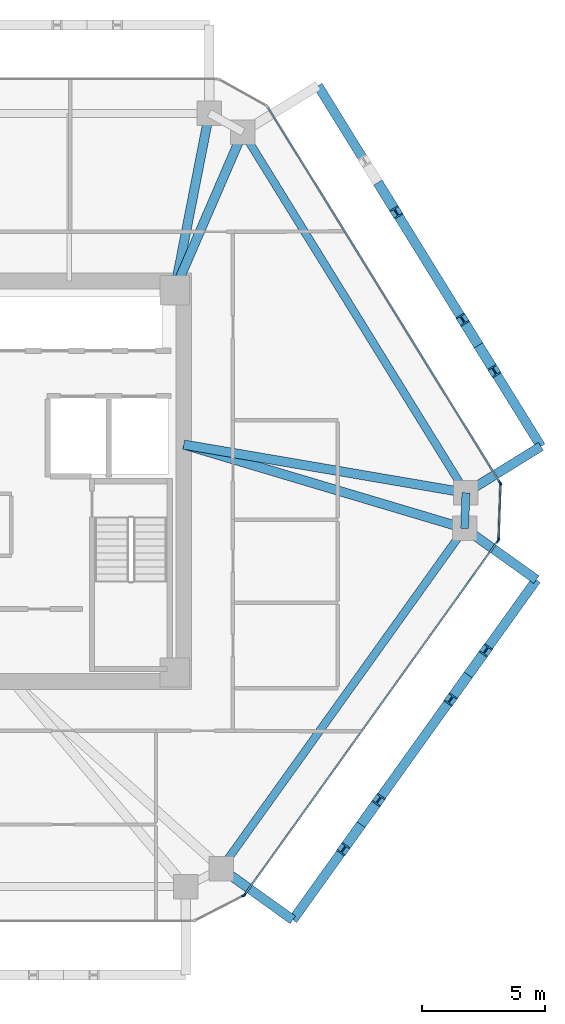
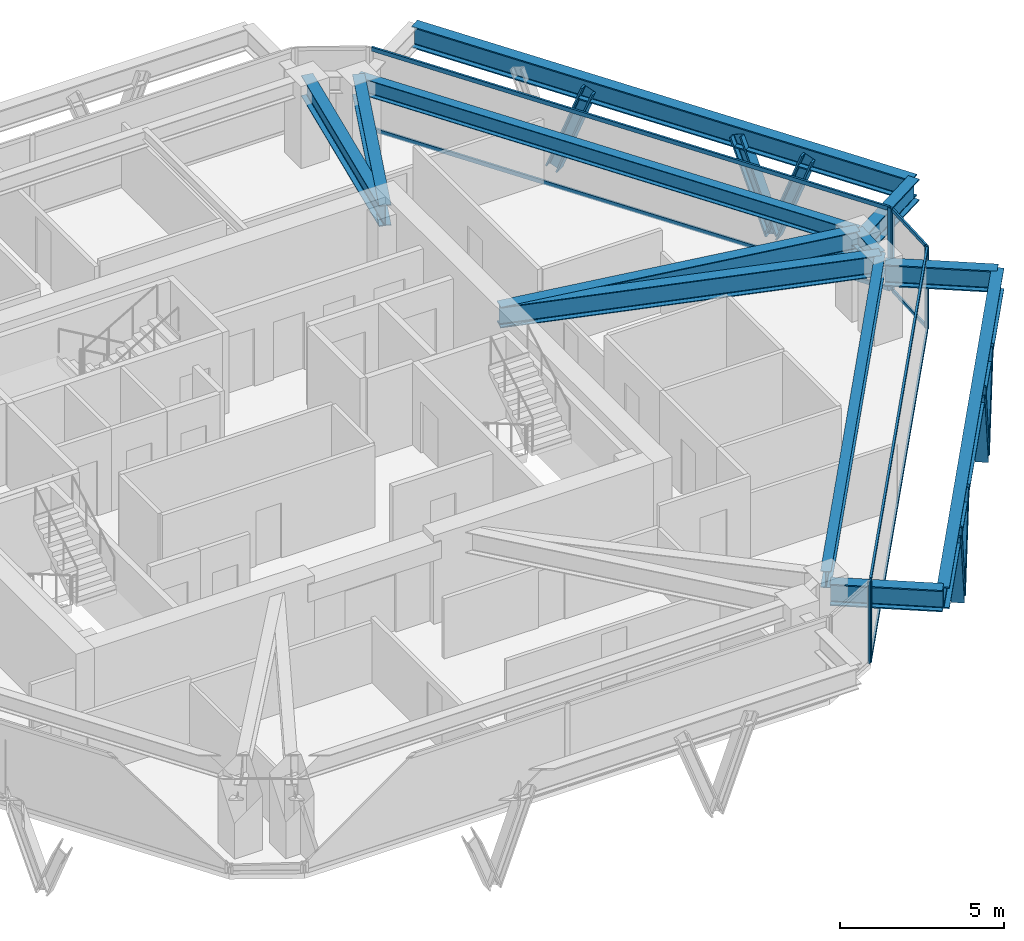
# One storey, part 5 of 11: 19 members, 12 beams, 4 elements without a shape of their own.
"""IFC4 building model written with IfcOpenShell, lengths in metres."""

import ifcopenshell
import ifcopenshell.guid

model = None  # the IFC model being written
_history = None  # IfcOwnerHistory: only IFC2X3 demands one
_inside = {}  # id of a spatial element -> (the spatial element, [elements in it])
_under = {}  # id of a project, library or spatial element -> (it, [spatial elements below it])
_declared = {}  # id of a project -> (the project, [libraries it declares])
_typed = {}  # id of a type object -> (the type object, [elements of that type])
_made_of = {}  # id of a material, layer set ... -> (it, [elements and type objects made of it])


def new_model(schema):
    """Start an empty IFC model of exactly this schema.

    Asked for "IFC4X3", IfcOpenShell would pick the latest addendum, in which some entities
    have other attributes; the version numbers below select the first issue.
    IFC2X3 requires an IfcOwnerHistory on every rooted entity: one is made here for all.
    """
    global model, _history
    if schema == "IFC4X3":
        model = ifcopenshell.file(schema_version=(4, 3, 0, 0))
    else:
        model = ifcopenshell.file(schema=schema)
    _inside.clear()
    _under.clear()
    _declared.clear()
    _typed.clear()
    _made_of.clear()
    _history = None
    if model.schema == "IFC2X3":
        org = make("IfcOrganization", Name="unknown")
        user = make(
            "IfcPersonAndOrganization",
            ThePerson=make("IfcPerson", FamilyName="unknown"),
            TheOrganization=org,
        )
        app = make(
            "IfcApplication",
            ApplicationDeveloper=org,
            Version="unknown",
            ApplicationFullName="unknown",
            ApplicationIdentifier="unknown",
        )
        _history = make(
            "IfcOwnerHistory",
            OwningUser=user,
            OwningApplication=app,
            ChangeAction="ADDED",
            CreationDate=0,
        )
    return model


def make(cls, **values):
    """One entity of the class cls with the attributes given. An attribute that is None is left unset."""
    return model.create_entity(
        cls, **{name: value for name, value in values.items() if value is not None}
    )


def rooted(cls, **values):
    """An entity with a GlobalId (a new one), such as an element, a storey or a relation."""
    return make(cls, GlobalId=ifcopenshell.guid.new(), OwnerHistory=_history, **values)


def si_unit(unit_type, name, prefix=None):
    """IfcSIUnit, for example si_unit("LENGTHUNIT", "METRE", prefix="MILLI")."""
    return make("IfcSIUnit", UnitType=unit_type, Prefix=prefix, Name=name)


def assignment(units):
    """IfcUnitAssignment: the units of a project."""
    return None if units is None else make("IfcUnitAssignment", Units=units)


def point(xyz):
    """IfcCartesianPoint."""
    return None if xyz is None else make("IfcCartesianPoint", Coordinates=xyz)


def direction(xyz):
    """IfcDirection."""
    return None if xyz is None else make("IfcDirection", DirectionRatios=xyz)


def frame(location, z_axis=None, x_axis=None):
    """IfcAxis2Placement3D, a coordinate frame: its origin and axes. An axis left out is left unset."""
    return make(
        "IfcAxis2Placement3D",
        Location=point(location),
        Axis=direction(z_axis),
        RefDirection=direction(x_axis),
    )


def frame_2d(location, x_axis=None):
    """IfcAxis2Placement2D, a coordinate frame in the plane: its origin and x axis."""
    return make(
        "IfcAxis2Placement2D", Location=point(location), RefDirection=direction(x_axis)
    )


def origin():
    """The frame at (0, 0, 0) with its axes left unset."""
    return frame((0.0, 0.0, 0.0))


def origin_2d():
    """The frame at (0, 0) in the plane with its x axis left unset."""
    return frame_2d((0.0, 0.0))


def place(relative_to, where):
    """IfcLocalPlacement: puts the frame where relative to a parent placement (None: the world)."""
    return make(
        "IfcLocalPlacement", PlacementRelTo=relative_to, RelativePlacement=where
    )


def context(
    kind, dimensions, precision=None, world=None, true_north=None, identifier=None
):
    """IfcGeometricRepresentationContext, for example the 3D "Model" context."""
    return make(
        "IfcGeometricRepresentationContext",
        ContextIdentifier=identifier,
        ContextType=kind,
        CoordinateSpaceDimension=dimensions,
        Precision=precision,
        WorldCoordinateSystem=world,
        TrueNorth=true_north,
    )


def subcontext(parent, identifier, kind, view, scale=None):
    """IfcGeometricRepresentationSubContext, for example "Body" below "Model"."""
    return make(
        "IfcGeometricRepresentationSubContext",
        ContextIdentifier=identifier,
        ContextType=kind,
        ParentContext=parent,
        TargetScale=scale,
        TargetView=view,
    )


def project(units=None, contexts=None):
    """IfcProject with its units and contexts."""
    return rooted(
        "IfcProject",
        Name="project",
        RepresentationContexts=contexts,
        UnitsInContext=assignment(units),
    )


def spatial(cls, under=None, at=None, **own):
    """A site, building, storey or space (cls), placed at a placement, below another one or the project."""
    s = rooted(cls, ObjectPlacement=at, **own)
    if under is not None:
        _under.setdefault(under.id(), (under, []))[1].append(s)
    return s


def profile(cls, at=None, kind="AREA", **sizes):
    """A parametric profile (cls). Its sizes go by their IFC names, for example OverallWidth=200.0."""
    return make(cls, ProfileType=kind, Position=at, **sizes)


def rectangle(**sizes):
    """IfcRectangleProfileDef."""
    return profile("IfcRectangleProfileDef", **sizes)


def i_section(**sizes):
    """IfcIShapeProfileDef."""
    return profile("IfcIShapeProfileDef", **sizes)


def extrude(swept, where, along, depth):
    """IfcExtrudedAreaSolid: the profile swept, set in the frame where, extruded along a direction by depth."""
    return make(
        "IfcExtrudedAreaSolid",
        SweptArea=swept,
        Position=where,
        ExtrudedDirection=direction(along),
        Depth=depth,
    )


def shape(context_of_items, identifier, shape_type, items):
    """IfcShapeRepresentation: the items that make up one representation, for example the "Body"."""
    return make(
        "IfcShapeRepresentation",
        ContextOfItems=context_of_items,
        RepresentationIdentifier=identifier,
        RepresentationType=shape_type,
        Items=items,
    )


def source(mapping_origin, context_of_items, identifier, shape_type, items):
    """IfcRepresentationMap: a shape defined once, which mapped items show again and again."""
    return make(
        "IfcRepresentationMap",
        MappingOrigin=mapping_origin,
        MappedRepresentation=shape(context_of_items, identifier, shape_type, items),
    )


def transform(
    local_origin,
    x_axis=None,
    y_axis=None,
    z_axis=None,
    scale=None,
    scale2=None,
    scale3=None,
    uniform=True,
):
    """IfcCartesianTransformationOperator3D, or its non-uniform kind. x_axis, y_axis, z_axis: its Axis1, 2, 3."""
    if uniform:
        return make(
            "IfcCartesianTransformationOperator3D",
            Axis1=direction(x_axis),
            Axis2=direction(y_axis),
            LocalOrigin=point(local_origin),
            Scale=scale,
            Axis3=direction(z_axis),
        )
    return make(
        "IfcCartesianTransformationOperator3DnonUniform",
        Axis1=direction(x_axis),
        Axis2=direction(y_axis),
        LocalOrigin=point(local_origin),
        Scale=scale,
        Axis3=direction(z_axis),
        Scale2=scale2,
        Scale3=scale3,
    )


def mapped(mapping_source, mapping_target):
    """IfcMappedItem: shows the shape of a source again, moved by a transform."""
    return make(
        "IfcMappedItem", MappingSource=mapping_source, MappingTarget=mapping_target
    )


def material(Name=None, Category=None):
    """IfcMaterial."""
    return make("IfcMaterial", Name=Name, Category=Category)


def layer(
    of_material, thickness, ventilated=None, Name=None, Category=None, Priority=None
):
    """IfcMaterialLayer: one layer of a wall or slab, of a material (None: an air gap)."""
    return make(
        "IfcMaterialLayer",
        Material=of_material,
        LayerThickness=thickness,
        IsVentilated=ventilated,
        Name=Name,
        Category=Category,
        Priority=Priority,
    )


def layer_set(layers, Name=None):
    """IfcMaterialLayerSet."""
    return make("IfcMaterialLayerSet", MaterialLayers=layers, LayerSetName=Name)


def material_profile(
    of_material, cross_section, Name=None, Category=None, Priority=None
):
    """IfcMaterialProfile: a cross section and its material."""
    return make(
        "IfcMaterialProfile",
        Name=Name,
        Material=of_material,
        Profile=cross_section,
        Priority=Priority,
        Category=Category,
    )


def profile_set(profiles, Name=None, composite=None):
    """IfcMaterialProfileSet."""
    return make(
        "IfcMaterialProfileSet",
        Name=Name,
        MaterialProfiles=profiles,
        CompositeProfile=composite,
    )


def made_of(thing, what):
    """Note that an element or type object is made of a material, layer set ...; save() writes the relation."""
    if what is not None:
        _made_of.setdefault(what.id(), (what, []))[1].append(thing)
    return thing


def type_object(cls, material=None, **own):
    """A type object (cls), such as IfcWallType, which elements share."""
    return made_of(rooted(cls, **own), material)


def type_shapes(of_type, sources):
    """Give a type object the sources (RepresentationMaps) that its elements show as mapped items."""
    of_type.RepresentationMaps = sources


def element(
    cls,
    number,
    at=None,
    inside=None,
    cuts=None,
    type_object=None,
    material=None,
    context=None,
    identifier="Body",
    shape_type=None,
    held_by="IfcProductDefinitionShape",
    body=None,
    shapes=None,
    **own,
):
    """One element of the class cls, such as IfcWall. Its Tag is "e" and its number.

    at: its placement. inside: the storey or other place that contains it. cuts: it is an
    opening in that element (IfcRelVoidsElement). A single representation is given by context,
    identifier, shape_type and body (its items); several are given by shapes. held_by: the class
    of the entity that holds the representations. save() writes the other relations.
    """
    e = rooted(cls, Tag="e%d" % number, ObjectPlacement=at, **own)
    if body is not None:
        shapes = [shape(context, identifier, shape_type, body)]
    if shapes is not None:
        e.Representation = make(held_by, Representations=shapes)
    if inside is not None:
        _inside.setdefault(inside.id(), (inside, []))[1].append(e)
    if cuts is not None:
        rooted(
            "IfcRelVoidsElement", RelatingBuildingElement=cuts, RelatedOpeningElement=e
        )
    if type_object is not None:
        _typed.setdefault(type_object.id(), (type_object, []))[1].append(e)
    return made_of(e, material)


def aggregate(whole, parts):
    """IfcRelAggregates: a whole, such as a stair, and the parts it consists of."""
    return rooted("IfcRelAggregates", RelatingObject=whole, RelatedObjects=parts)


def save(model, path):
    """Write the relations noted so far, then the file.

    IfcRelAggregates (storeys below a building ...), IfcRelContainedInSpatialStructure (elements
    in a storey), IfcRelDefinesByType, IfcRelAssociatesMaterial and IfcRelDeclares: one each for
    every whole, place, type object, material and project.
    """
    for whole, parts in _under.values():
        aggregate(whole, parts)
    for where, things in _inside.values():
        rooted(
            "IfcRelContainedInSpatialStructure",
            RelatedElements=things,
            RelatingStructure=where,
        )
    for kind, things in _typed.values():
        rooted("IfcRelDefinesByType", RelatedObjects=things, RelatingType=kind)
    for what, things in _made_of.values():
        rooted("IfcRelAssociatesMaterial", RelatedObjects=things, RelatingMaterial=what)
    for by, libraries in _declared.values():
        rooted("IfcRelDeclares", RelatingContext=by, RelatedDefinitions=libraries)
    model.write(path)


model = new_model("IFC4")

# Units and contexts
model_context = context("Model", 3, precision=1e-05, world=origin(), true_north=direction((0.0, 1.0)))
body_context = subcontext(model_context, "Body", "Model", "MODEL_VIEW")
ifc_project = project(units=[si_unit("LENGTHUNIT", "METRE"), si_unit("AREAUNIT", "SQUARE_METRE"), si_unit("VOLUMEUNIT", "CUBIC_METRE"), si_unit("PLANEANGLEUNIT", "RADIAN"), si_unit("MASSUNIT", "GRAM", prefix="KILO")], contexts=[model_context])

# Site, building, storey
site_placement = place(None, origin())
site = spatial("IfcSite", under=ifc_project, at=site_placement, CompositionType="ELEMENT")
building_placement = place(site_placement, origin())
building = spatial("IfcBuilding", under=site, at=building_placement, Name="Durnholm Broadcast Tower", CompositionType="ELEMENT")
storey_placement = place(building_placement, frame((0.0, 0.0, 190.300048828125)))
storey = spatial("IfcBuildingStorey", under=building, at=storey_placement, Name="L52", CompositionType="ELEMENT", Elevation=190.300048828125)

# Beams
ifc_material_1 = material(Name="Steel ASTM A992 Grade 50", Category="steel")
ifc_material_profile_1 = material_profile(ifc_material_1, i_section(OverallWidth=0.385009765625, OverallDepth=0.802978515625, WebThickness=0.023681640625, FlangeThickness=0.0419921875, FilletRadius=0.032958984375, at=origin_2d()), Name="W30X261")
ifc_profile_set_1 = profile_set([ifc_material_profile_1], Name="Steel ASTM A992 Grade 50")
beam_type_1 = type_object("IfcBeamType", Name="BM-EXO-TIE", PredefinedType="USERDEFINED", material=ifc_profile_set_1)
shared_shape_1 = source(origin(), body_context, "Body", "SweptSolid", [
    extrude(i_section(OverallWidth=0.385009765625, OverallDepth=0.802978515625, WebThickness=0.023681640625, FlangeThickness=0.0419921875, FilletRadius=0.032958984375, at=origin_2d()), origin(), (0.0, 0.0, 1.0), 3.4560546875),
])
for number, where, z_axis, x_axis, name in (
    (1, (11.81689453125, -15.884033203125, 2.30859375), (0.813079048773, -0.582153296346, 0.0), (0.582153296346, 0.813079048773, 0.0), "L52 exoskeleton stand-off tie bracket F2.1"),
    (2, (21.7548828125, -2.00341796875, 2.30859375), (0.813079048773, -0.582153296346, 0.0), (0.582153296346, 0.813079048773, 0.0), "L52 exoskeleton stand-off tie bracket F2.2"),
    (3, (21.8095703125, -0.3916015625, 2.30859375), (0.850662348375, 0.525712439512, 0.0), (-0.525712439512, 0.850662348375, 0.0), "L52 exoskeleton stand-off tie bracket F3.1"),
):
    element("IfcBeam", number, at=place(storey_placement, frame(where, z_axis=z_axis, x_axis=x_axis)), inside=storey, type_object=beam_type_1, Name=name, ObjectType="GIRDER", PredefinedType="USERDEFINED", context=body_context, shape_type="MappedRepresentation", body=[
        mapped(shared_shape_1, transform((0.0, 0.0, 0.0), x_axis=(1.0, 0.0, 0.0), y_axis=(0.0, 1.0, 0.0), z_axis=(0.0, 0.0, 1.0), scale=1.0)),
    ])
ifc_material_profile_2 = material_profile(ifc_material_1, i_section(OverallWidth=0.3251953125, OverallDepth=0.6162109375, WebThickness=0.013916015625, FlangeThickness=0.021484375, FilletRadius=0.02783203125, at=origin_2d()), Name="W24X117")
ifc_profile_set_2 = profile_set([ifc_material_profile_2], Name="Steel ASTM A992 Grade 50")
beam_type_2 = type_object("IfcBeamType", Name="STL-SP-W24X117", PredefinedType="SPANDREL", material=ifc_profile_set_2)
shared_shape_2 = source(origin(), body_context, "Body", "SweptSolid", [
    extrude(i_section(OverallWidth=0.3251953125, OverallDepth=0.6162109375, WebThickness=0.013916015625, FlangeThickness=0.021484375, FilletRadius=0.02783203125, at=origin_2d()), origin(), (0.0, 0.0, 1.0), 17.30322265625),
])
beam_1_placement = place(storey_placement, frame((12.5908203125, 14.252197265625, 2.73681640625), z_axis=(0.525691424148, -0.850675335588, 0.0), x_axis=(0.850675335588, 0.525691424148, 0.0)))
element("IfcBeam", 4, at=beam_1_placement, inside=storey, type_object=beam_type_2, Name="L52 perimeter spandrel girder 07", PredefinedType="SPANDREL", context=body_context, shape_type="MappedRepresentation", body=[
    mapped(shared_shape_2, transform((0.0, 0.0, 0.0), x_axis=(1.0, 0.0, 0.0), y_axis=(0.0, 1.0, 0.0), z_axis=(0.0, 0.0, 1.0), scale=1.0)),
])
shared_shape_3 = source(origin(), body_context, "Body", "SweptSolid", [
    extrude(i_section(OverallWidth=0.3251953125, OverallDepth=0.6162109375, WebThickness=0.013916015625, FlangeThickness=0.021484375, FilletRadius=0.02783203125, at=origin_2d()), origin(), (0.0, 0.0, 1.0), 1.453125),
])
beam_2_placement = place(storey_placement, frame((21.68701171875, -0.46728515625, 2.73681640625), z_axis=(-0.033767922326, -0.99942970109, 0.0), x_axis=(0.99942970109, -0.033767922326, 0.0)))
element("IfcBeam", 5, at=beam_2_placement, inside=storey, type_object=beam_type_2, Name="L52 perimeter spandrel girder 08", PredefinedType="SPANDREL", context=body_context, shape_type="MappedRepresentation", body=[
    mapped(shared_shape_3, transform((0.0, 0.0, 0.0), x_axis=(1.0, 0.0, 0.0), y_axis=(0.0, 1.0, 0.0), z_axis=(0.0, 0.0, 1.0), scale=1.0)),
])
shared_shape_4 = source(origin(), body_context, "Body", "SweptSolid", [
    extrude(i_section(OverallWidth=0.3251953125, OverallDepth=0.6162109375, WebThickness=0.013916015625, FlangeThickness=0.021484375, FilletRadius=0.02783203125, at=origin_2d()), origin(), (0.0, 0.0, 1.0), 17.071533203125),
])
type_shapes(beam_type_2, [shared_shape_2, shared_shape_3, shared_shape_4])
beam_3_placement = place(storey_placement, frame((21.637939453125, -1.919677734375, 2.73681640625), z_axis=(-0.582149612352, -0.813081686449, 0.0), x_axis=(0.813081686449, -0.582149612352, 0.0)))
element("IfcBeam", 6, at=beam_3_placement, inside=storey, type_object=beam_type_2, Name="L52 perimeter spandrel girder 09", PredefinedType="SPANDREL", context=body_context, shape_type="MappedRepresentation", body=[
    mapped(shared_shape_4, transform((0.0, 0.0, 0.0), x_axis=(1.0, 0.0, 0.0), y_axis=(0.0, 1.0, 0.0), z_axis=(0.0, 0.0, 1.0), scale=1.0)),
])
ifc_material_profile_3 = material_profile(ifc_material_1, i_section(OverallWidth=0.380615234375, OverallDepth=0.773193359375, WebThickness=0.0166015625, FlangeThickness=0.027099609375, FilletRadius=0.032958984375, at=origin_2d()), Name="W30X173")
ifc_profile_set_3 = profile_set([ifc_material_profile_3], Name="Steel ASTM A992 Grade 50")
beam_type_3 = type_object("IfcBeamType", Name="STL-GR-W30X173", PredefinedType="USERDEFINED", material=ifc_profile_set_3)
shared_shape_5 = source(origin(), body_context, "Body", "SweptSolid", [
    extrude(i_section(OverallWidth=0.380615234375, OverallDepth=0.773193359375, WebThickness=0.0166015625, FlangeThickness=0.027099609375, FilletRadius=0.032958984375, at=origin_2d()), origin(), (0.0, 0.0, 1.0), 7.35595703125),
])
beam_4_placement = place(storey_placement, frame((9.800048828125, 7.800048828125, 2.658447265625), z_axis=(0.192700221893, 0.981257674865, 0.0), x_axis=(-0.981257674865, 0.192700221893, 0.0)))
element("IfcBeam", 7, at=beam_4_placement, inside=storey, type_object=beam_type_3, Name="L52 radial primary floor girder 06", ObjectType="GIRDER", PredefinedType="USERDEFINED", context=body_context, shape_type="MappedRepresentation", body=[
    mapped(shared_shape_5, transform((0.0, 0.0, 0.0), x_axis=(1.0, 0.0, 0.0), y_axis=(0.0, 1.0, 0.0), z_axis=(0.0, 0.0, 1.0), scale=1.0)),
])
shared_shape_6 = source(origin(), body_context, "Body", "SweptSolid", [
    extrude(i_section(OverallWidth=0.380615234375, OverallDepth=0.773193359375, WebThickness=0.0166015625, FlangeThickness=0.027099609375, FilletRadius=0.032958984375, at=origin_2d()), origin(), (0.0, 0.0, 1.0), 7.02978515625),
])
beam_5_placement = place(storey_placement, frame((9.800048828125, 7.800048828125, 2.658447265625), z_axis=(0.396989434191, 0.91782317967, 0.0), x_axis=(-0.91782317967, 0.396989434191, 0.0)))
element("IfcBeam", 8, at=beam_5_placement, inside=storey, type_object=beam_type_3, Name="L52 radial primary floor girder 07", ObjectType="GIRDER", PredefinedType="USERDEFINED", context=body_context, shape_type="MappedRepresentation", body=[
    mapped(shared_shape_6, transform((0.0, 0.0, 0.0), x_axis=(1.0, 0.0, 0.0), y_axis=(0.0, 1.0, 0.0), z_axis=(0.0, 0.0, 1.0), scale=1.0)),
])
shared_shape_7 = source(origin(), body_context, "Body", "SweptSolid", [
    extrude(i_section(OverallWidth=0.385009765625, OverallDepth=0.802978515625, WebThickness=0.023681640625, FlangeThickness=0.0419921875, FilletRadius=0.032958984375, at=origin_2d()), origin(), (0.0, 0.0, 1.0), 17.071533203125),
])
beam_6_placement = place(storey_placement, frame((14.626953125, -17.89599609375, 2.30859375), z_axis=(0.582140157836, 0.813088455603, 0.0), x_axis=(-0.813088455603, 0.582140157836, 0.0)))
element("IfcBeam", 9, at=beam_6_placement, inside=storey, type_object=beam_type_1, Name="L52 exoskeleton collector spandrel F2", PredefinedType="SPANDREL", context=body_context, shape_type="MappedRepresentation", body=[
    mapped(shared_shape_7, transform((0.0, 0.0, 0.0), x_axis=(1.0, 0.0, 0.0), y_axis=(0.0, 1.0, 0.0), z_axis=(0.0, 0.0, 1.0), scale=1.0)),
])
shared_shape_8 = source(origin(), body_context, "Body", "SweptSolid", [
    extrude(i_section(OverallWidth=0.385009765625, OverallDepth=0.802978515625, WebThickness=0.023681640625, FlangeThickness=0.0419921875, FilletRadius=0.032958984375, at=origin_2d()), origin(), (0.0, 0.0, 1.0), 17.303466796875),
])
type_shapes(beam_type_1, [shared_shape_1, shared_shape_7, shared_shape_8])
beam_7_placement = place(storey_placement, frame((24.74951171875, 1.42529296875, 2.30859375), z_axis=(-0.525701634347, 0.850669025911, 0.0), x_axis=(-0.850669025911, -0.525701634347, 0.0)))
element("IfcBeam", 10, at=beam_7_placement, inside=storey, type_object=beam_type_1, Name="L52 exoskeleton collector spandrel F3", PredefinedType="SPANDREL", context=body_context, shape_type="MappedRepresentation", body=[
    mapped(shared_shape_8, transform((0.0, 0.0, 0.0), x_axis=(1.0, 0.0, 0.0), y_axis=(0.0, 1.0, 0.0), z_axis=(0.0, 0.0, 1.0), scale=1.0)),
])
shared_shape_9 = source(origin(), body_context, "Body", "SweptSolid", [
    extrude(i_section(OverallWidth=0.380615234375, OverallDepth=0.773193359375, WebThickness=0.0166015625, FlangeThickness=0.027099609375, FilletRadius=0.032958984375, at=origin_2d()), origin(), (0.0, 0.0, 1.0), 11.678955078125),
])
beam_8_placement = place(storey_placement, frame((10.175048828125, 1.5, 2.658447265625), z_axis=(0.985710446264, -0.168448556317, 0.0), x_axis=(0.168448556317, 0.985710446264, 0.0)))
element("IfcBeam", 11, at=beam_8_placement, inside=storey, type_object=beam_type_3, Name="L52 radial primary floor girder 08", ObjectType="GIRDER", PredefinedType="USERDEFINED", context=body_context, shape_type="MappedRepresentation", body=[
    mapped(shared_shape_9, transform((0.0, 0.0, 0.0), x_axis=(1.0, 0.0, 0.0), y_axis=(0.0, 1.0, 0.0), z_axis=(0.0, 0.0, 1.0), scale=1.0)),
])
shared_shape_10 = source(origin(), body_context, "Body", "SweptSolid", [
    extrude(i_section(OverallWidth=0.380615234375, OverallDepth=0.773193359375, WebThickness=0.0166015625, FlangeThickness=0.027099609375, FilletRadius=0.032958984375, at=origin_2d()), origin(), (0.0, 0.0, 1.0), 11.962158203125),
])
type_shapes(beam_type_3, [shared_shape_5, shared_shape_6, shared_shape_9, shared_shape_10])
beam_9_placement = place(storey_placement, frame((10.175048828125, 1.5, 2.658447265625), z_axis=(0.958266673737, -0.285875815706, 0.0), x_axis=(0.285875815706, 0.958266673737, 0.0)))
element("IfcBeam", 12, at=beam_9_placement, inside=storey, type_object=beam_type_3, Name="L52 radial primary floor girder 09", ObjectType="GIRDER", PredefinedType="USERDEFINED", context=body_context, shape_type="MappedRepresentation", body=[
    mapped(shared_shape_10, transform((0.0, 0.0, 0.0), x_axis=(1.0, 0.0, 0.0), y_axis=(0.0, 1.0, 0.0), z_axis=(0.0, 0.0, 1.0), scale=1.0)),
])

# Members
ifc_material_2 = material(Name="Steel ASTM A913 Grade 65", Category="steel")
ifc_material_profile_4 = material_profile(ifc_material_2, i_section(OverallWidth=0.412109375, OverallDepth=0.434814453125, WebThickness=0.035888671875, FlangeThickness=0.057373046875, FilletRadius=0.030517578125, at=origin_2d()), Name="W14X311")
ifc_profile_set_4 = profile_set([ifc_material_profile_4], Name="Steel ASTM A913 Grade 65")
member_type_1 = type_object("IfcMemberType", Name="STL-DG-W14X311", PredefinedType="BRACE", material=ifc_profile_set_4)
shared_shape_11 = source(origin(), body_context, "Body", "SweptSolid", [
    extrude(i_section(OverallWidth=0.412109375, OverallDepth=0.434814453125, WebThickness=0.035888671875, FlangeThickness=0.057373046875, FilletRadius=0.030517578125, at=origin_2d()), origin(), (0.0, 0.0, 1.0), 3.523193359375),
])
for number, where, z_axis, x_axis, name in (
    (13, (17.40966796875, -14.009521484375, -0.991455078125), (-0.203869234398, -0.284737826017, 0.936675880815), (0.813077820009, -0.582155012526, 0.0), "L52 stand-off diagrid brace F2.D1.1"),
    (14, (17.40966796875, -14.009521484375, -0.991455078125), (0.203869234398, 0.284737826017, 0.936675880815), (-0.813077820009, 0.582155012526, 0.0), "L52 stand-off diagrid brace F2.D1.2"),
    (15, (21.782470703125, -7.90185546875, -0.991455078125), (-0.203869234398, -0.284737826017, 0.936675880815), (0.813077820009, -0.582155012526, 0.0), "L52 stand-off diagrid brace F2.D2.1"),
    (16, (21.782470703125, -7.90185546875, -0.991455078125), (0.203802816986, 0.284741848009, 0.936689111595), (-0.813171482985, 0.58202417412, 0.0), "L52 stand-off diagrid brace F2.D2.2"),
    (17, (22.202392578125, 5.546875, -0.991455078125), (0.18411903749, -0.297902800967, 0.936671821509), (0.850644447398, 0.525741404219, 0.0), "L52 stand-off diagrid brace F3.D1.1"),
):
    element("IfcMember", number, at=place(storey_placement, frame(where, z_axis=z_axis, x_axis=x_axis)), inside=storey, type_object=member_type_1, Name=name, PredefinedType="BRACE", context=body_context, shape_type="MappedRepresentation", body=[
        mapped(shared_shape_11, transform((0.0, 0.0, 0.0), x_axis=(1.0, 0.0, 0.0), y_axis=(0.0, 1.0, 0.0), z_axis=(0.0, 0.0, 1.0), scale=1.0)),
    ])
shared_shape_12 = source(origin(), body_context, "Body", "SweptSolid", [
    extrude(i_section(OverallWidth=0.412109375, OverallDepth=0.434814453125, WebThickness=0.035888671875, FlangeThickness=0.057373046875, FilletRadius=0.030517578125, at=origin_2d()), origin(), (0.0, 0.0, 1.0), 3.52294921875),
])
type_shapes(member_type_1, [shared_shape_11, shared_shape_12])
for number, where, z_axis, x_axis, name in (
    (18, (22.202392578125, 5.546875, -0.991455078125), (-0.184055888727, 0.297843452465, 0.936703105391), (-0.85067825406, -0.525686701439, 0.0), "L52 stand-off diagrid brace F3.D1.2"),
    (19, (18.2001953125, 12.023193359375, -0.991455078125), (0.184055888727, -0.297843452465, 0.936703105391), (0.85067825406, 0.525686701439, 0.0), "L52 stand-off diagrid brace F3.D2.1"),
):
    element("IfcMember", number, at=place(storey_placement, frame(where, z_axis=z_axis, x_axis=x_axis)), inside=storey, type_object=member_type_1, Name=name, PredefinedType="BRACE", context=body_context, shape_type="MappedRepresentation", body=[
        mapped(shared_shape_12, transform((0.0, 0.0, 0.0), x_axis=(1.0, 0.0, 0.0), y_axis=(0.0, 1.0, 0.0), z_axis=(0.0, 0.0, 1.0), scale=1.0)),
    ])

# Curtain wall, members
ifc_material_3 = material(Name="Aluminium and Solar Control IGU", Category="aluminium")
ifc_layer_1 = layer(ifc_material_3, 0.1650390625)
ifc_layer_set_1 = layer_set([ifc_layer_1], Name="Aluminium and Solar Control IGU")
curtain_wall_type_1 = type_object("IfcCurtainWallType", Name="CW-SYS-5", PredefinedType="NOTDEFINED", material=ifc_layer_set_1)
curtain_wall_1_placement = place(storey_placement, origin())
curtain_wall_1 = element("IfcCurtainWall", 20, at=curtain_wall_1_placement, inside=storey, type_object=curtain_wall_type_1, Name="L52 curtain wall CW-CORNER CW-L52-CRN-07", PredefinedType="NOTDEFINED")
ifc_material_4 = material(Name="Aluminium 6063-T6", Category="aluminium")
ifc_material_profile_5 = material_profile(ifc_material_4, rectangle(XDim=0.06494140625, YDim=0.1650390625, at=origin_2d()), Name="CWM65X165")
ifc_profile_set_5 = profile_set([ifc_material_profile_5], Name="Aluminium 6063-T6")
member_type_2 = type_object("IfcMemberType", Name="CW-SYS-5-MUL", PredefinedType="MULLION", material=ifc_profile_set_5)
shared_shape_13 = source(origin(), body_context, "Body", "SweptSolid", [
    extrude(rectangle(XDim=0.06494140625, YDim=0.1650390625, at=origin_2d()), origin(), (0.0, 0.0, 1.0), 3.06005859375),
])
type_shapes(member_type_2, [shared_shape_13])
member_1_placement = place(storey_placement, frame((23.099609375, -0.1240234375, 0.0), z_axis=(0.0, 0.0, 1.0), x_axis=(0.999424798802, -0.033912704699, 0.0)))
member_1 = element("IfcMember", 21, at=member_1_placement, type_object=member_type_2, Name="CW-CORNER mullion 1", PredefinedType="MULLION", context=body_context, shape_type="MappedRepresentation", body=[
    mapped(shared_shape_13, transform((0.0, 0.0, 0.0), x_axis=(1.0, 0.0, 0.0), y_axis=(0.0, 1.0, 0.0), z_axis=(0.0, 0.0, 1.0), scale=1.0)),
])
member_2_placement = place(storey_placement, frame((23.023681640625, -2.35791015625, 0.0), z_axis=(0.0, 0.0, 1.0), x_axis=(0.999424798802, -0.033912704699, 0.0)))
member_2 = element("IfcMember", 22, at=member_2_placement, type_object=member_type_2, Name="CW-CORNER mullion 2", PredefinedType="MULLION", context=body_context, shape_type="MappedRepresentation", body=[
    mapped(shared_shape_13, transform((0.0, 0.0, 0.0), x_axis=(1.0, 0.0, 0.0), y_axis=(0.0, 1.0, 0.0), z_axis=(0.0, 0.0, 1.0), scale=1.0)),
])

# Curtain wall, member
curtain_wall_2_placement = place(storey_placement, origin())
curtain_wall_2 = element("IfcCurtainWall", 23, at=curtain_wall_2_placement, inside=storey, type_object=curtain_wall_type_1, Name="L52 curtain wall CW-CORNER CW-L52-CRN-09", PredefinedType="NOTDEFINED")
member_3_placement = place(storey_placement, frame((12.612060546875, -16.905517578125, 0.0), z_axis=(0.0, 0.0, 1.0), x_axis=(0.457081764476, -0.889424679545, 0.0)))
member_3 = element("IfcMember", 24, at=member_3_placement, type_object=member_type_2, Name="CW-CORNER mullion 1", PredefinedType="MULLION", context=body_context, shape_type="MappedRepresentation", body=[
    mapped(shared_shape_13, transform((0.0, 0.0, 0.0), x_axis=(1.0, 0.0, 0.0), y_axis=(0.0, 1.0, 0.0), z_axis=(0.0, 0.0, 1.0), scale=1.0)),
])
aggregate(curtain_wall_2, [member_3])

# Member
ifc_material_profile_6 = material_profile(ifc_material_4, rectangle(XDim=0.06494140625, YDim=0.1298828125, at=origin_2d()), Name="CWT65X130")
ifc_profile_set_6 = profile_set([ifc_material_profile_6], Name="Aluminium 6063-T6")
member_type_3 = type_object("IfcMemberType", Name="CW-SYS-5-TRN", PredefinedType="USERDEFINED", material=ifc_profile_set_6)
shared_shape_14 = source(origin(), body_context, "Body", "SweptSolid", [
    extrude(rectangle(XDim=0.06494140625, YDim=0.1298828125, at=origin_2d()), origin(), (0.0, 0.0, 1.0), 2.170166015625),
])
type_shapes(member_type_3, [shared_shape_14])
member_4_placement = place(storey_placement, frame((23.098388671875, -0.156494140625, 0.032470703125), z_axis=(-0.033861704743, -0.999426528041, 0.0), x_axis=(0.999426528041, -0.033861704743, 0.0)))
member_4 = element("IfcMember", 25, at=member_4_placement, type_object=member_type_3, Name="CW-CORNER transom 1.1", ObjectType="TRANSOM", PredefinedType="USERDEFINED", context=body_context, shape_type="MappedRepresentation", body=[
    mapped(shared_shape_14, transform((0.0, 0.0, 0.0), x_axis=(1.0, 0.0, 0.0), y_axis=(0.0, 1.0, 0.0), z_axis=(0.0, 0.0, 1.0), scale=1.0)),
])

member_5_placement = place(storey_placement, frame((23.098388671875, -0.156494140625, 3.02734375), z_axis=(-0.033861704743, -0.999426528041, 0.0), x_axis=(0.999426528041, -0.033861704743, 0.0)))
member_5 = element("IfcMember", 26, at=member_5_placement, type_object=member_type_3, Name="CW-CORNER transom 1.2", ObjectType="TRANSOM", PredefinedType="USERDEFINED", context=body_context, shape_type="MappedRepresentation", body=[
    mapped(shared_shape_14, transform((0.0, 0.0, 0.0), x_axis=(1.0, 0.0, 0.0), y_axis=(0.0, 1.0, 0.0), z_axis=(0.0, 0.0, 1.0), scale=1.0)),
])

aggregate(curtain_wall_1, [member_1, member_2, member_4, member_5])

# Curtain wall, members
ifc_layer_2 = layer(ifc_material_3, 0.18994140625)
ifc_layer_set_2 = layer_set([ifc_layer_2], Name="Aluminium and Solar Control IGU")
curtain_wall_type_2 = type_object("IfcCurtainWallType", Name="CW-SYS-4", PredefinedType="NOTDEFINED", material=ifc_layer_set_2)
curtain_wall_3_placement = place(storey_placement, origin())
curtain_wall_3 = element("IfcCurtainWall", 27, at=curtain_wall_3_placement, inside=storey, type_object=curtain_wall_type_2, Name="L52 curtain wall CW-Z34-VIS CW-L52-F06", PredefinedType="NOTDEFINED")
ifc_material_profile_7 = material_profile(ifc_material_4, rectangle(XDim=0.070068359375, YDim=0.14990234375, at=origin_2d()), Name="CWT70X150")
ifc_profile_set_7 = profile_set([ifc_material_profile_7], Name="Aluminium 6063-T6")
member_type_4 = type_object("IfcMemberType", Name="CW-SYS-4-TRN", PredefinedType="USERDEFINED", material=ifc_profile_set_7)
shared_shape_15 = source(origin(), body_context, "Body", "SweptSolid", [
    extrude(rectangle(XDim=0.070068359375, YDim=0.14990234375, at=origin_2d()), origin(), (0.0, 0.0, 1.0), 17.950927734375),
])
member_6_placement = place(storey_placement, frame((13.627197265625, 15.23828125, 0.034912109375), z_axis=(0.525699895853, -0.850670100274, 0.0), x_axis=(0.850670100274, 0.525699895853, 0.0)))
member_6 = element("IfcMember", 28, at=member_6_placement, type_object=member_type_4, Name="CW-Z34-VIS transom 1.1", ObjectType="TRANSOM", PredefinedType="USERDEFINED", context=body_context, shape_type="MappedRepresentation", body=[
    mapped(shared_shape_15, transform((0.0, 0.0, 0.0), x_axis=(1.0, 0.0, 0.0), y_axis=(0.0, 1.0, 0.0), z_axis=(0.0, 0.0, 1.0), scale=1.0)),
])
member_7_placement = place(storey_placement, frame((13.627197265625, 15.23828125, 3.02490234375), z_axis=(0.525699895853, -0.850670100274, 0.0), x_axis=(0.850670100274, 0.525699895853, 0.0)))
member_7 = element("IfcMember", 29, at=member_7_placement, type_object=member_type_4, Name="CW-Z34-VIS transom 1.2", ObjectType="TRANSOM", PredefinedType="USERDEFINED", context=body_context, shape_type="MappedRepresentation", body=[
    mapped(shared_shape_15, transform((0.0, 0.0, 0.0), x_axis=(1.0, 0.0, 0.0), y_axis=(0.0, 1.0, 0.0), z_axis=(0.0, 0.0, 1.0), scale=1.0)),
])

curtain_wall_4_placement = place(storey_placement, origin())
curtain_wall_4 = element("IfcCurtainWall", 30, at=curtain_wall_4_placement, inside=storey, type_object=curtain_wall_type_2, Name="L52 curtain wall CW-Z34-VIS CW-L52-F08", PredefinedType="NOTDEFINED")
shared_shape_16 = source(origin(), body_context, "Body", "SweptSolid", [
    extrude(rectangle(XDim=0.070068359375, YDim=0.14990234375, at=origin_2d()), origin(), (0.0, 0.0, 1.0), 17.693603515625),
])
type_shapes(member_type_4, [shared_shape_15, shared_shape_16])
member_8_placement = place(storey_placement, frame((22.98193359375, -2.447265625, 0.034912109375), z_axis=(-0.582144969277, -0.813085010774, 0.0), x_axis=(0.813085010774, -0.582144969277, 0.0)))
member_8 = element("IfcMember", 31, at=member_8_placement, type_object=member_type_4, Name="CW-Z34-VIS transom 1.1", ObjectType="TRANSOM", PredefinedType="USERDEFINED", context=body_context, shape_type="MappedRepresentation", body=[
    mapped(shared_shape_16, transform((0.0, 0.0, 0.0), x_axis=(1.0, 0.0, 0.0), y_axis=(0.0, 1.0, 0.0), z_axis=(0.0, 0.0, 1.0), scale=1.0)),
])
member_9_placement = place(storey_placement, frame((22.98193359375, -2.447265625, 3.02490234375), z_axis=(-0.582144969277, -0.813085010774, 0.0), x_axis=(0.813085010774, -0.582144969277, 0.0)))
member_9 = element("IfcMember", 32, at=member_9_placement, type_object=member_type_4, Name="CW-Z34-VIS transom 1.2", ObjectType="TRANSOM", PredefinedType="USERDEFINED", context=body_context, shape_type="MappedRepresentation", body=[
    mapped(shared_shape_16, transform((0.0, 0.0, 0.0), x_axis=(1.0, 0.0, 0.0), y_axis=(0.0, 1.0, 0.0), z_axis=(0.0, 0.0, 1.0), scale=1.0)),
])

# Member
ifc_material_profile_8 = material_profile(ifc_material_4, rectangle(XDim=0.070068359375, YDim=0.18994140625, at=origin_2d()), Name="CWM70X190")
ifc_profile_set_8 = profile_set([ifc_material_profile_8], Name="Aluminium 6063-T6")
member_type_5 = type_object("IfcMemberType", Name="CW-SYS-4-MUL", PredefinedType="MULLION", material=ifc_profile_set_8)
shared_shape_17 = source(origin(), body_context, "Body", "SweptSolid", [
    extrude(rectangle(XDim=0.070068359375, YDim=0.18994140625, at=origin_2d()), origin(), (0.0, 0.0, 1.0), 3.06005859375),
])
type_shapes(member_type_5, [shared_shape_17])
member_10_placement = place(storey_placement, frame((23.082275390625, -0.061767578125, 0.0), z_axis=(0.0, 0.0, 1.0), x_axis=(0.850671426092, 0.525697750452, 0.0)))
member_10 = element("IfcMember", 33, at=member_10_placement, type_object=member_type_5, Name="CW-Z34-VIS mullion 2", PredefinedType="MULLION", context=body_context, shape_type="MappedRepresentation", body=[
    mapped(shared_shape_17, transform((0.0, 0.0, 0.0), x_axis=(1.0, 0.0, 0.0), y_axis=(0.0, 1.0, 0.0), z_axis=(0.0, 0.0, 1.0), scale=1.0)),
])

aggregate(curtain_wall_3, [member_10, member_6, member_7])

member_11_placement = place(storey_placement, frame((23.00244140625, -2.418701171875, 0.0), z_axis=(0.0, 0.0, 1.0), x_axis=(0.813089262696, -0.582139030549, 0.0)))
member_11 = element("IfcMember", 34, at=member_11_placement, type_object=member_type_5, Name="CW-Z34-VIS mullion 1", PredefinedType="MULLION", context=body_context, shape_type="MappedRepresentation", body=[
    mapped(shared_shape_17, transform((0.0, 0.0, 0.0), x_axis=(1.0, 0.0, 0.0), y_axis=(0.0, 1.0, 0.0), z_axis=(0.0, 0.0, 1.0), scale=1.0)),
])

member_12_placement = place(storey_placement, frame((12.661376953125, -16.8623046875, 0.0), z_axis=(0.0, 0.0, 1.0), x_axis=(0.813089262696, -0.582139030549, 0.0)))
member_12 = element("IfcMember", 35, at=member_12_placement, type_object=member_type_5, Name="CW-Z34-VIS mullion 2", PredefinedType="MULLION", context=body_context, shape_type="MappedRepresentation", body=[
    mapped(shared_shape_17, transform((0.0, 0.0, 0.0), x_axis=(1.0, 0.0, 0.0), y_axis=(0.0, 1.0, 0.0), z_axis=(0.0, 0.0, 1.0), scale=1.0)),
])

aggregate(curtain_wall_4, [member_11, member_12, member_8, member_9])

save(model, "model.ifc")
